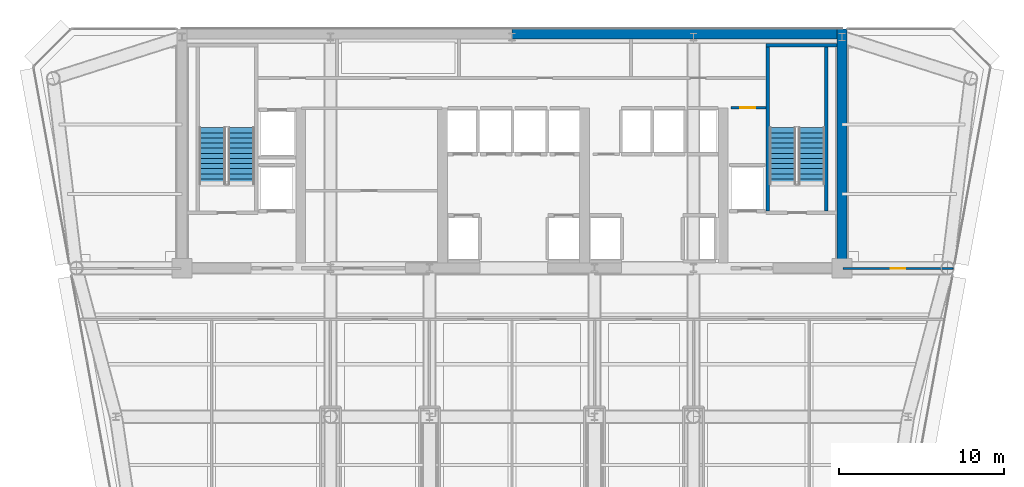
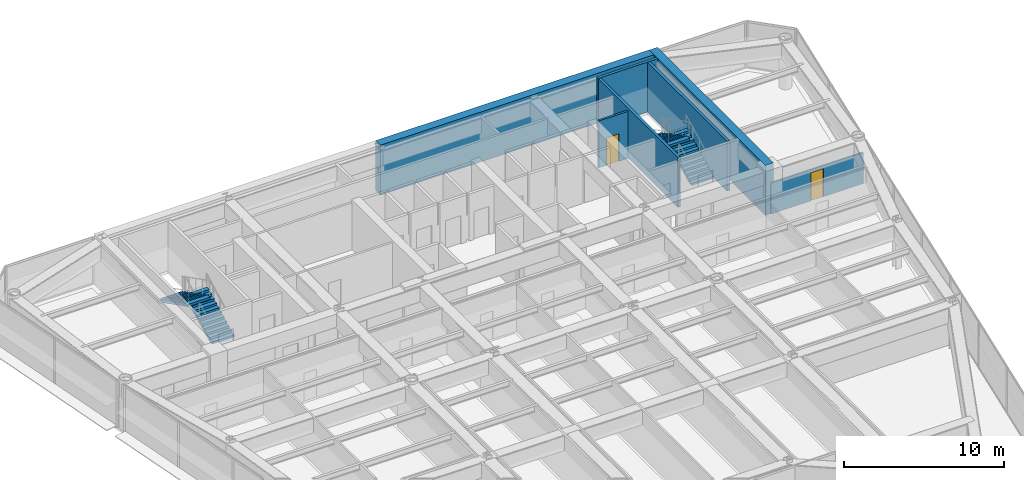
# One storey, part 13 of 17: 7 walls, 4 stair flights, 2 doors, 2 openings, 2 elements without a shape of their own.
"""IFC4 building model written with IfcOpenShell, lengths in metres."""

from ifc_helpers import new_model, si_unit, direction, frame, frame_2d, origin, place, context, subcontext, project, spatial, polyline, rectangle, outline, extrude, source, transform, mapped, material, layer, layer_set, type_object, element, fill, aggregate, save


model = new_model("IFC4")

# Units and contexts
model_context = context("Model", 3, precision=1e-05, world=origin(), true_north=direction((0.0, 1.0)))
body_context = subcontext(model_context, "Body", "Model", "MODEL_VIEW")
ifc_project = project(units=[si_unit("LENGTHUNIT", "METRE"), si_unit("AREAUNIT", "SQUARE_METRE"), si_unit("VOLUMEUNIT", "CUBIC_METRE"), si_unit("PLANEANGLEUNIT", "RADIAN"), si_unit("MASSUNIT", "GRAM", prefix="KILO")], contexts=[model_context])

# Site, building, storey
site_placement = place(None, origin())
site = spatial("IfcSite", under=ifc_project, at=site_placement, CompositionType="ELEMENT")
building_placement = place(site_placement, origin())
building = spatial("IfcBuilding", under=site, at=building_placement, Name="Vaeldorn Concourse Tower", CompositionType="ELEMENT")
storey_placement = place(building_placement, frame((0.0, 0.0, 176.60009765625)))
storey = spatial("IfcBuildingStorey", under=building, at=storey_placement, Name="L45", CompositionType="ELEMENT", Elevation=176.60009765625)

# Walls
ifc_material_1 = material(Name="Concrete C50/60", Category="concrete")
ifc_layer_1 = layer(ifc_material_1, 0.60009765625)
ifc_layer_set_1 = layer_set([ifc_layer_1], Name="Concrete C50/60")
wall_type_1 = type_object("IfcWallType", Name="WL-CORE-600", PredefinedType="SHEAR", material=ifc_layer_set_1)
wall_1_placement = place(storey_placement, frame((34.001953125, 50.699951171875, 0.0), z_axis=(0.0, 0.0, 1.0), x_axis=(1.0, 0.0, 0.0)))
element("IfcWall", 1, at=wall_1_placement, inside=storey, type_object=wall_type_1, Name="Rear Core Shear Wall L45 N2", PredefinedType="SHEAR", context=body_context, shape_type="SweptSolid", body=[
    extrude(rectangle(XDim=19.694091796875, YDim=0.60009765625, at=frame_2d((9.84716796875, 0.0))), origin(), (0.0, 0.0, 1.0), 3.7998046875),
])
wall_2_placement = place(storey_placement, frame((54.0, 36.5, 0.0), z_axis=(0.0, 0.0, 1.0), x_axis=(0.0, 1.0, 0.0)))
element("IfcWall", 2, at=wall_2_placement, inside=storey, type_object=wall_type_1, Name="Rear Core Shear Wall L45 E1", PredefinedType="SHEAR", context=body_context, shape_type="SweptSolid", body=[
    extrude(rectangle(XDim=14.5, YDim=0.60009765625, at=frame_2d((7.25, 0.0))), origin(), (0.0, 0.0, 1.0), 3.7998046875),
])

# Wall, opening, door
ifc_material_2 = material(Name="Gypsum Board Partition", Category="gypsum")
ifc_layer_2 = layer(ifc_material_2, 0.1201171875)
ifc_layer_set_2 = layer_set([ifc_layer_2], Name="Gypsum Board Partition")
wall_type_2 = type_object("IfcWallType", Name="WL-PART-120", PredefinedType="PARTITIONING", material=ifc_layer_set_2)
wall_3_placement = place(storey_placement, frame((54.06005859375, 36.47998046875, 0.0), z_axis=(0.0, 0.0, 1.0), x_axis=(1.0, 0.0, 0.0)))
wall_3 = element("IfcWall", 3, at=wall_3_placement, inside=storey, type_object=wall_type_2, Name="Interior Wall PW-L45-NES", PredefinedType="PARTITIONING", context=body_context, shape_type="SweptSolid", body=[
    extrude(rectangle(XDim=6.66552734375, YDim=0.1201171875, at=frame_2d((3.332763671875, 0.0))), origin(), (0.0, 0.0, 1.0), 2.369873046875),
])
opening_1_placement = place(wall_3_placement, frame((2.883056640625, 0.0, 0.0)))
opening_1 = element("IfcOpeningElement", 4, at=opening_1_placement, cuts=wall_3, Name="Opening D-03", PredefinedType="OPENING", context=body_context, shape_type="SweptSolid", body=[
    extrude(rectangle(XDim=0.89990234375, YDim=2.14990234375, at=frame_2d((0.449951171875, 1.074951171875))), frame((0.0, 0.070068359375, 0.0), z_axis=(0.0, -1.0, 0.0), x_axis=(1.0, 0.0, 0.0)), (0.0, 0.0, 1.0), 0.14013671875),
])
ifc_material_3 = material(Name="Acoustic Bronze-Framed Glass Door", Category="glass")
door_type_1 = type_object("IfcDoorType", Name="DR-INT-900", OperationType="NOTDEFINED", PredefinedType="DOOR", material=ifc_material_3)
shared_shape_1 = source(origin(), body_context, "Body", "SweptSolid", [
    extrude(rectangle(XDim=0.89990234375, YDim=2.14990234375, at=frame_2d((0.449951171875, 1.074951171875))), frame((0.0, 0.02490234375, 0.0), z_axis=(0.0, -1.0, 0.0), x_axis=(1.0, 0.0, 0.0)), (0.0, 0.0, 1.0), 0.050048828125),
])
door_1_placement = place(opening_1_placement, origin())
door_1 = element("IfcDoor", 5, at=door_1_placement, inside=storey, type_object=door_type_1, Name="Interior Door DR-L45-NEC", OperationType="SINGLE_SWING_RIGHT", OverallHeight=2.14990234375, OverallWidth=0.89990234375, PredefinedType="DOOR", context=body_context, shape_type="MappedRepresentation", body=[
    mapped(shared_shape_1, transform((0.0, 0.0, 0.0), scale=1.0)),
])
fill(opening_1, door_1)

ifc_layer_3 = layer(ifc_material_2, 0.14990234375)
ifc_layer_set_3 = layer_set([ifc_layer_3], Name="Gypsum Board Partition")
wall_type_3 = type_object("IfcWallType", Name="WL-PART-150", PredefinedType="PARTITIONING", material=ifc_layer_set_3)
wall_4_placement = place(storey_placement, frame((47.280029296875, 46.219970703125, 0.0), z_axis=(0.0, 0.0, 1.0), x_axis=(1.0, 0.0, 0.0)))
wall_4 = element("IfcWall", 6, at=wall_4_placement, inside=storey, type_object=wall_type_3, Name="Interior Wall CW-L45-CRSE-N", PredefinedType="PARTITIONING", context=body_context, shape_type="SweptSolid", body=[
    extrude(rectangle(XDim=2.099853515625, YDim=0.14990234375, at=frame_2d((1.0498046875, 0.0))), origin(), (0.0, 0.0, 1.0), 3.579833984375),
])
opening_2_placement = place(wall_4_placement, frame((0.550048828125, 0.0, 0.0)))
opening_2 = element("IfcOpeningElement", 7, at=opening_2_placement, cuts=wall_4, Name="Opening D-02", PredefinedType="OPENING", context=body_context, shape_type="SweptSolid", body=[
    extrude(rectangle(XDim=0.89990234375, YDim=2.10009765625, at=frame_2d((0.449951171875, 1.050048828125))), frame((0.0, 0.0849609375, 0.0), z_axis=(0.0, -1.0, 0.0), x_axis=(1.0, 0.0, 0.0)), (0.0, 0.0, 1.0), 0.169921875),
])
ifc_material_4 = material(Name="Fire-Rated Timber Leaf", Category="wood")
door_type_2 = type_object("IfcDoorType", Name="DR-FD30-900", OperationType="NOTDEFINED", PredefinedType="DOOR", material=ifc_material_4)
shared_shape_2 = source(origin(), body_context, "Body", "SweptSolid", [
    extrude(rectangle(XDim=0.89990234375, YDim=2.10009765625, at=frame_2d((0.449951171875, 1.050048828125))), frame((0.0, 0.02490234375, 0.0), z_axis=(0.0, -1.0, 0.0), x_axis=(1.0, 0.0, 0.0)), (0.0, 0.0, 1.0), 0.050048828125),
])
door_2_placement = place(opening_2_placement, origin())
door_2 = element("IfcDoor", 8, at=door_2_placement, inside=storey, type_object=door_type_2, Name="Interior Door DR-L45-CRSE", OperationType="SINGLE_SWING_RIGHT", OverallHeight=2.10009765625, OverallWidth=0.89990234375, PredefinedType="DOOR", context=body_context, shape_type="MappedRepresentation", body=[
    mapped(shared_shape_2, transform((0.0, 0.0, 0.0), scale=1.0)),
])
fill(opening_2, door_2)

# Walls
ifc_layer_4 = layer(ifc_material_1, 0.199951171875)
ifc_layer_set_4 = layer_set([ifc_layer_4], Name="Concrete C50/60")
wall_type_4 = type_object("IfcWallType", Name="WL-SHAFT-200", PredefinedType="SOLIDWALL", material=ifc_layer_set_4)
wall_5_placement = place(storey_placement, frame((49.39990234375, 50.0, 0.0), z_axis=(0.0, 0.0, 1.0), x_axis=(1.0, 0.0, 0.0)))
element("IfcWall", 9, at=wall_5_placement, inside=storey, type_object=wall_type_4, Name="Stair Shaft Wall CW-L45-ST-2-N", PredefinedType="SOLIDWALL", context=body_context, shape_type="SweptSolid", body=[
    extrude(rectangle(XDim=4.300048828125, YDim=0.199951171875, at=frame_2d((2.14990234375, 0.0))), origin(), (0.0, 0.0, 1.0), 3.7998046875),
])
for number, where, z_axis, x_axis, name in (
    (10, (49.5, 39.9599609375, 0.0), (0.0, 0.0, 1.0), (0.0, 1.0, 0.0), "Stair Shaft Wall CW-L45-ST-2-W"),
    (11, (53.050048828125, 39.9599609375, 0.0), (0.0, 0.0, 1.0), (0.0, 1.0, 0.0), "Stair Shaft Wall CW-L45-ST-2-E"),
):
    element("IfcWall", number, at=place(storey_placement, frame(where, z_axis=z_axis, x_axis=x_axis)), inside=storey, type_object=wall_type_4, Name=name, PredefinedType="SOLIDWALL", context=body_context, shape_type="SweptSolid", body=[
        extrude(rectangle(XDim=9.929931640625, YDim=0.199951171875, at=frame_2d((4.96484375, 0.0))), origin(), (0.0, 0.0, 1.0), 3.7998046875),
    ])

# Stair, stair flights
ifc_material_5 = material(Name="Precast concrete C40/50", Category="concrete")
stair_type = type_object("IfcStairType", Name="STR-DOG-24x158", PredefinedType="HALF_TURN_STAIR", material=ifc_material_5)
stair_1_placement = place(storey_placement, origin())
stair_1 = element("IfcStair", 12, at=stair_1_placement, inside=storey, type_object=stair_type, Name="L45 West Core Exit Stair ST-1", PredefinedType="HALF_TURN_STAIR")
stair_flight_type = type_object("IfcStairFlightType", Name="STF-STR-12x158", PredefinedType="STRAIGHT", material=ifc_material_5)
stair_flight_1_placement = place(storey_placement, frame((17.60009765625, 41.60009765625, 0.0), z_axis=(0.0, 0.0, 1.0), x_axis=(0.0, 1.0, 0.0)))
stair_flight_1 = element("IfcStairFlight", 13, at=stair_flight_1_placement, type_object=stair_flight_type, Name="ST-1 flight 1", NumberOfRisers=12, NumberOfTreads=11, PredefinedType="STRAIGHT", RiserHeight=0.158333333, TreadLength=0.31, context=body_context, shape_type="SweptSolid", body=[
    extrude(outline(polyline([(0.0, 0.0), (0.0, 0.158447265625), (0.31005859375, 0.158447265625), (0.31005859375, 0.316650390625), (0.6201171875, 0.316650390625), (0.6201171875, 0.47509765625), (0.929931640625, 0.47509765625), (0.929931640625, 0.63330078125), (1.239990234375, 0.63330078125), (1.239990234375, 0.791748046875), (1.550048828125, 0.791748046875), (1.550048828125, 0.949951171875), (1.860107421875, 0.949951171875), (1.860107421875, 1.1083984375), (2.169921875, 1.1083984375), (2.169921875, 1.2666015625), (2.47998046875, 1.2666015625), (2.47998046875, 1.425048828125), (2.7900390625, 1.425048828125), (2.7900390625, 1.583251953125), (3.10009765625, 1.583251953125), (3.10009765625, 1.74169921875), (3.409912109375, 1.74169921875), (3.409912109375, 1.89990234375), (3.409912109375, 1.5732421875), (0.32958984375, 0.0), (0.0, 0.0)])), frame((0.0, 0.800048828125, 0.0), z_axis=(0.0, -1.0, 0.0), x_axis=(1.0, 0.0, 0.0)), (0.0, 0.0, 1.0), 1.60009765625),
])
stair_flight_2_placement = place(storey_placement, frame((15.85009765625, 45.010009765625, 1.89990234375), z_axis=(0.0, 0.0, 1.0), x_axis=(0.0, -1.0, 0.0)))
stair_flight_2 = element("IfcStairFlight", 14, at=stair_flight_2_placement, type_object=stair_flight_type, Name="ST-1 flight 2", NumberOfRisers=12, NumberOfTreads=11, PredefinedType="STRAIGHT", RiserHeight=0.158333333, TreadLength=0.31, context=body_context, shape_type="SweptSolid", body=[
    extrude(outline(polyline([(0.0, 0.0), (0.0, 0.158447265625), (0.31005859375, 0.158447265625), (0.31005859375, 0.316650390625), (0.6201171875, 0.316650390625), (0.6201171875, 0.47509765625), (0.929931640625, 0.47509765625), (0.929931640625, 0.63330078125), (1.239990234375, 0.63330078125), (1.239990234375, 0.791748046875), (1.550048828125, 0.791748046875), (1.550048828125, 0.949951171875), (1.860107421875, 0.949951171875), (1.860107421875, 1.1083984375), (2.169921875, 1.1083984375), (2.169921875, 1.2666015625), (2.47998046875, 1.2666015625), (2.47998046875, 1.425048828125), (2.7900390625, 1.425048828125), (2.7900390625, 1.583251953125), (3.10009765625, 1.583251953125), (3.10009765625, 1.74169921875), (3.409912109375, 1.74169921875), (3.409912109375, 1.89990234375), (3.409912109375, 1.5732421875), (0.32958984375, 0.0), (0.0, 0.0)])), frame((0.0, 0.800048828125, 0.0), z_axis=(0.0, -1.0, 0.0), x_axis=(1.0, 0.0, 0.0)), (0.0, 0.0, 1.0), 1.60009765625),
])
aggregate(stair_1, [stair_flight_1, stair_flight_2])

stair_2_placement = place(storey_placement, origin())
stair_2 = element("IfcStair", 15, at=stair_2_placement, inside=storey, type_object=stair_type, Name="L45 East Core Exit Stair ST-2", PredefinedType="HALF_TURN_STAIR")
stair_flight_3_placement = place(storey_placement, frame((52.14990234375, 41.60009765625, 0.0), z_axis=(0.0, 0.0, 1.0), x_axis=(0.0, 1.0, 0.0)))
stair_flight_3 = element("IfcStairFlight", 16, at=stair_flight_3_placement, type_object=stair_flight_type, Name="ST-2 flight 1", NumberOfRisers=12, NumberOfTreads=11, PredefinedType="STRAIGHT", RiserHeight=0.158333333, TreadLength=0.31, context=body_context, shape_type="SweptSolid", body=[
    extrude(outline(polyline([(0.0, 0.0), (0.0, 0.158447265625), (0.31005859375, 0.158447265625), (0.31005859375, 0.316650390625), (0.6201171875, 0.316650390625), (0.6201171875, 0.47509765625), (0.929931640625, 0.47509765625), (0.929931640625, 0.63330078125), (1.239990234375, 0.63330078125), (1.239990234375, 0.791748046875), (1.550048828125, 0.791748046875), (1.550048828125, 0.949951171875), (1.860107421875, 0.949951171875), (1.860107421875, 1.1083984375), (2.169921875, 1.1083984375), (2.169921875, 1.2666015625), (2.47998046875, 1.2666015625), (2.47998046875, 1.425048828125), (2.7900390625, 1.425048828125), (2.7900390625, 1.583251953125), (3.10009765625, 1.583251953125), (3.10009765625, 1.74169921875), (3.409912109375, 1.74169921875), (3.409912109375, 1.89990234375), (3.409912109375, 1.5732421875), (0.32958984375, 0.0), (0.0, 0.0)])), frame((0.0, 0.800048828125, 0.0), z_axis=(0.0, -1.0, 0.0), x_axis=(1.0, 0.0, 0.0)), (0.0, 0.0, 1.0), 1.60009765625),
])
stair_flight_4_placement = place(storey_placement, frame((50.39990234375, 45.010009765625, 1.89990234375), z_axis=(0.0, 0.0, 1.0), x_axis=(0.0, -1.0, 0.0)))
stair_flight_4 = element("IfcStairFlight", 17, at=stair_flight_4_placement, type_object=stair_flight_type, Name="ST-2 flight 2", NumberOfRisers=12, NumberOfTreads=11, PredefinedType="STRAIGHT", RiserHeight=0.158333333, TreadLength=0.31, context=body_context, shape_type="SweptSolid", body=[
    extrude(outline(polyline([(0.0, 0.0), (0.0, 0.158447265625), (0.31005859375, 0.158447265625), (0.31005859375, 0.316650390625), (0.6201171875, 0.316650390625), (0.6201171875, 0.47509765625), (0.929931640625, 0.47509765625), (0.929931640625, 0.63330078125), (1.239990234375, 0.63330078125), (1.239990234375, 0.791748046875), (1.550048828125, 0.791748046875), (1.550048828125, 0.949951171875), (1.860107421875, 0.949951171875), (1.860107421875, 1.1083984375), (2.169921875, 1.1083984375), (2.169921875, 1.2666015625), (2.47998046875, 1.2666015625), (2.47998046875, 1.425048828125), (2.7900390625, 1.425048828125), (2.7900390625, 1.583251953125), (3.10009765625, 1.583251953125), (3.10009765625, 1.74169921875), (3.409912109375, 1.74169921875), (3.409912109375, 1.89990234375), (3.409912109375, 1.5732421875), (0.32958984375, 0.0), (0.0, 0.0)])), frame((0.0, 0.800048828125, 0.0), z_axis=(0.0, -1.0, 0.0), x_axis=(1.0, 0.0, 0.0)), (0.0, 0.0, 1.0), 1.60009765625),
])
aggregate(stair_2, [stair_flight_3, stair_flight_4])

save(model, "model.ifc")
